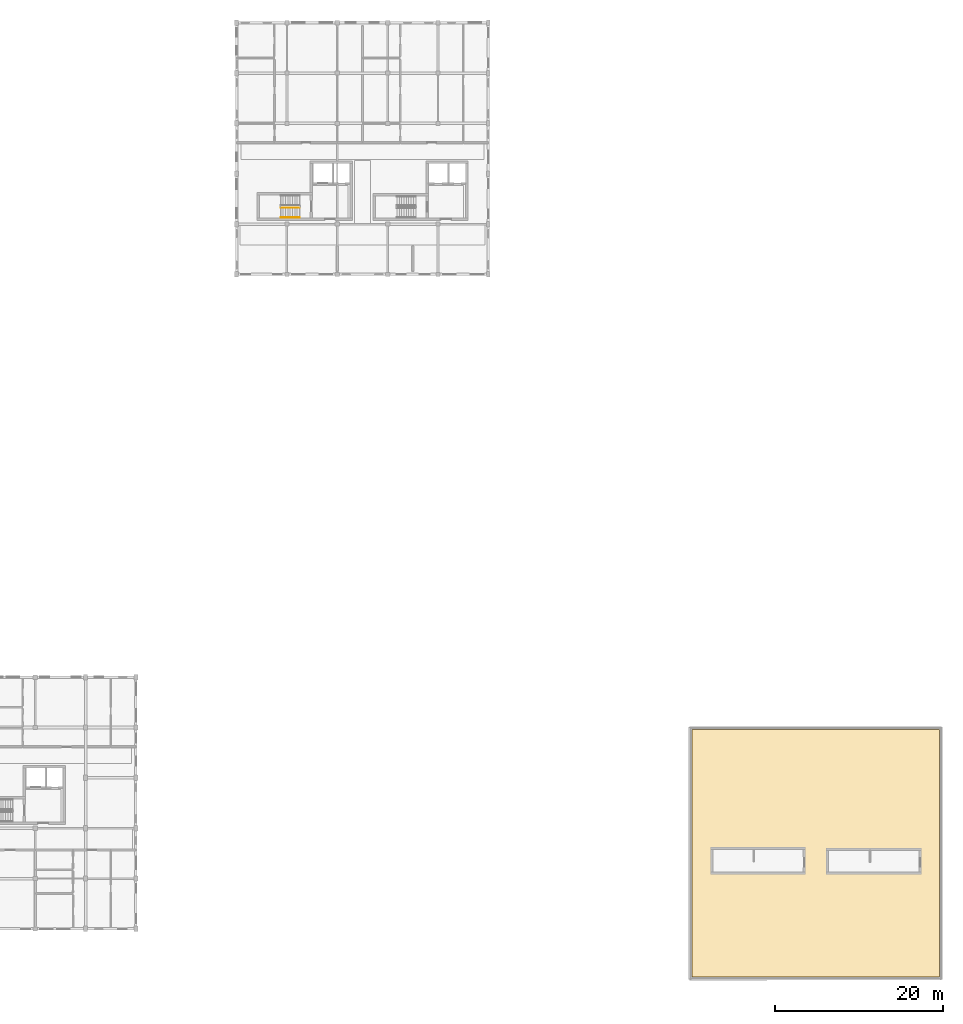
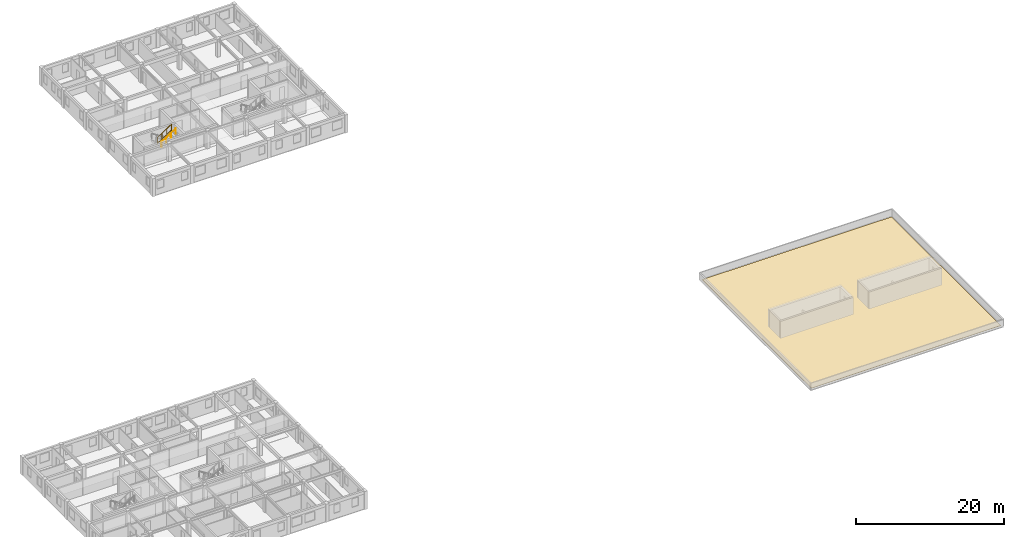
# One storey, part 16 of 17: 2 railings, 1 covering, 1 element without a shape of its own.
"""IFC4 building model written with IfcOpenShell, lengths in metres."""

from ifc_helpers import new_model, si_unit, direction, frame, origin, origin_2d, place, context, subcontext, project, spatial, polyline, circle, outline, extrude, material, layer, layer_set, type_object, element, aggregate, save


model = new_model("IFC4")

# Units and contexts
model_context = context("Model", 3, precision=1e-05, world=origin(), true_north=direction((0.0, 1.0)))
body_context = subcontext(model_context, "Body", "Model", "MODEL_VIEW")
ifc_project = project(units=[si_unit("LENGTHUNIT", "METRE"), si_unit("AREAUNIT", "SQUARE_METRE"), si_unit("VOLUMEUNIT", "CUBIC_METRE"), si_unit("PLANEANGLEUNIT", "RADIAN"), si_unit("MASSUNIT", "GRAM", prefix="KILO"), si_unit("POWERUNIT", "WATT"), si_unit("THERMODYNAMICTEMPERATUREUNIT", "KELVIN")], contexts=[model_context])

# Site, building, storey
site_placement = place(None, origin())
site = spatial("IfcSite", under=ifc_project, at=site_placement, CompositionType="ELEMENT")
building_placement = place(site_placement, origin())
building = spatial("IfcBuilding", under=site, at=building_placement, Name="Ruvembo Vaulted Housing Court", CompositionType="ELEMENT")
storey_placement = place(building_placement, frame((0.0, 0.0, 30.10009765625)))
storey = spatial("IfcBuildingStorey", under=building, at=storey_placement, Name="L09", CompositionType="ELEMENT", Elevation=30.10009765625)

# Roof, covering
ifc_material_1 = material(Name="Concrete C30/37", Category="concrete")
ifc_layer_1 = layer(ifc_material_1, 0.18505859375, Name="Concrete C30/37")
ifc_layer_set_1 = layer_set([ifc_layer_1], Name="Concrete C30/37")
roof_type = type_object("IfcRoofType", Name="ROOF-FLAT-C", PredefinedType="FLAT_ROOF", material=ifc_layer_set_1)
roof_placement = place(storey_placement, origin())
roof = element("IfcRoof", 1, at=roof_placement, inside=storey, type_object=roof_type, Name="Block C Flat Roof Assembly", PredefinedType="FLAT_ROOF")
ifc_material_2 = material(Name="TPO Waterproofing and Terracotta Tile", Category="masonry")
ifc_layer_2 = layer(ifc_material_2, 0.044921875, Name="TPO Waterproofing and Terracotta Tile")
ifc_layer_set_2 = layer_set([ifc_layer_2], Name="TPO Waterproofing and Terracotta Tile")
covering_type = type_object("IfcCoveringType", Name="COV-ROOF-MEMB", PredefinedType="ROOFING", material=ifc_layer_set_2)
covering_placement = place(storey_placement, origin())
covering = element("IfcCovering", 2, at=covering_placement, type_object=covering_type, Name="Block C L09 Insulated Roof Waterproofing", PredefinedType="ROOFING", context=body_context, shape_type="SweptSolid", body=[
    extrude(outline(polyline([(102.25, 0.25), (131.75, 0.25), (131.75, 29.75), (102.25, 29.75), (102.25, 0.25)])), origin(), (0.0, 0.0, 1.0), 0.044921875),
])
aggregate(roof, [covering])

# Railings
ifc_material_3 = material(Name="Painted Galvanised Steel S275", Category="steel")
ifc_layer_3 = layer(ifc_material_3, 0.06005859375, Name="Painted Galvanised Steel S275")
ifc_layer_set_3 = layer_set([ifc_layer_3], Name="Painted Galvanised Steel S275")
railing_type_1 = type_object("IfcRailingType", Name="RL-STAIR-GR1100", PredefinedType="GUARDRAIL", material=ifc_layer_set_3)
railing_1_placement = place(storey_placement, frame((53.260009765625, 91.949951171875, 1.777587890625)))
element("IfcRailing", 3, at=railing_1_placement, inside=storey, type_object=railing_type_1, Name="L09 ST-B1 stair guard 3", PredefinedType="GUARDRAIL", context=body_context, shape_type="SweptSolid", body=[
    extrude(circle(Radius=0.02392578125, at=origin_2d()), frame((0.0, 0.0, 1.076171875), z_axis=(0.84418770128, 0.0, 0.536047689118), x_axis=(0.0, 1.0, 0.0)), (0.0, 0.0, 1.0), 2.6533203125),
    extrude(circle(Radius=0.01806640625, at=origin_2d()), frame((0.0, 0.0, 0.1201171875), z_axis=(0.84418770128, 0.0, 0.536047689118), x_axis=(0.0, 1.0, 0.0)), (0.0, 0.0, 1.0), 2.6533203125),
    extrude(circle(Radius=0.02099609375, at=origin_2d()), origin(), (0.0, 0.0, 1.0), 1.052001953125),
    extrude(circle(Radius=0.02099609375, at=origin_2d()), frame((0.74658203125, 0.0, 0.47412109375)), (0.0, 0.0, 1.0), 1.052001953125),
    extrude(circle(Radius=0.02099609375, at=origin_2d()), frame((1.493408203125, 0.0, 0.9482421875)), (0.0, 0.0, 1.0), 1.052001953125),
    extrude(circle(Radius=0.02099609375, at=origin_2d()), frame((2.239990234375, 0.0, 1.42236328125)), (0.0, 0.0, 1.0), 1.052001953125),
])
ifc_material_4 = material(Name="Brushed Stainless Steel 304", Category="steel")
ifc_layer_4 = layer(ifc_material_4, 0.050048828125, Name="Brushed Stainless Steel 304")
ifc_layer_set_4 = layer_set([ifc_layer_4], Name="Brushed Stainless Steel 304")
railing_type_2 = type_object("IfcRailingType", Name="RL-STAIR-HR920", PredefinedType="HANDRAIL", material=ifc_layer_set_4)
railing_2_placement = place(storey_placement, frame((53.260009765625, 90.800048828125, 1.959228515625)))
element("IfcRailing", 4, at=railing_2_placement, inside=storey, type_object=railing_type_2, Name="L09 ST-B1 stair handrail 2", PredefinedType="HANDRAIL", context=body_context, shape_type="SweptSolid", body=[
    extrude(circle(Radius=0.02392578125, at=origin_2d()), frame((0.0, 0.0, 0.8759765625), z_axis=(0.8442293374, 0.0, 0.53598211339), x_axis=(0.0, 1.0, 0.0)), (0.0, 0.0, 1.0), 2.6533203125),
    extrude(circle(Radius=0.02099609375, at=origin_2d()), origin(), (0.0, 0.0, 1.0), 0.851806640625),
    extrude(circle(Radius=0.02099609375, at=origin_2d()), frame((0.74658203125, 0.0, 0.47412109375)), (0.0, 0.0, 1.0), 0.851806640625),
    extrude(circle(Radius=0.02099609375, at=origin_2d()), frame((1.493408203125, 0.0, 0.947998046875)), (0.0, 0.0, 1.0), 0.851806640625),
    extrude(circle(Radius=0.02099609375, at=origin_2d()), frame((2.239990234375, 0.0, 1.422119140625)), (0.0, 0.0, 1.0), 0.851806640625),
])

save(model, "model.ifc")
